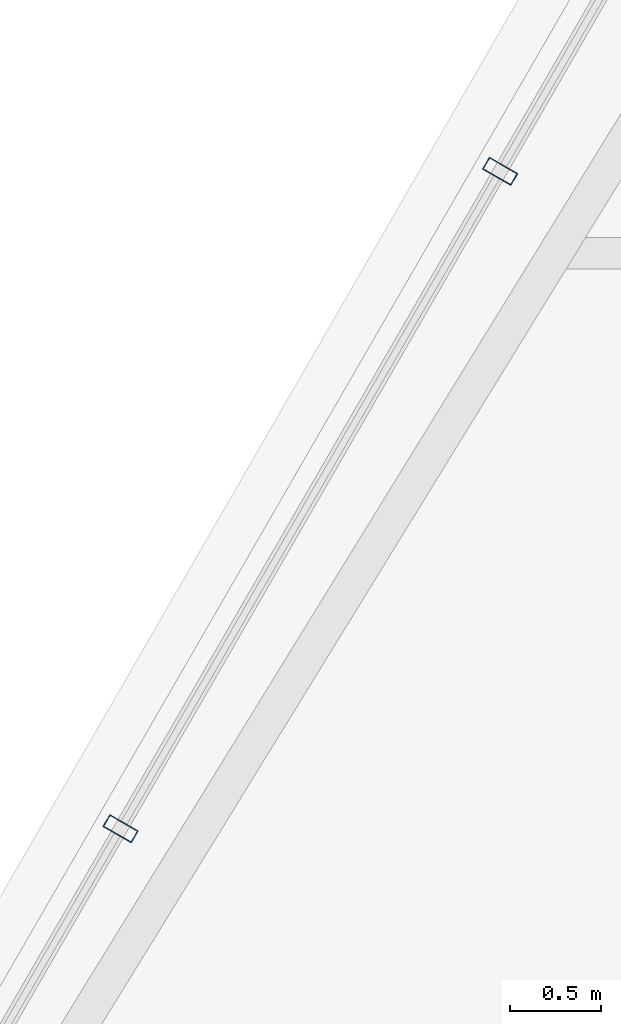
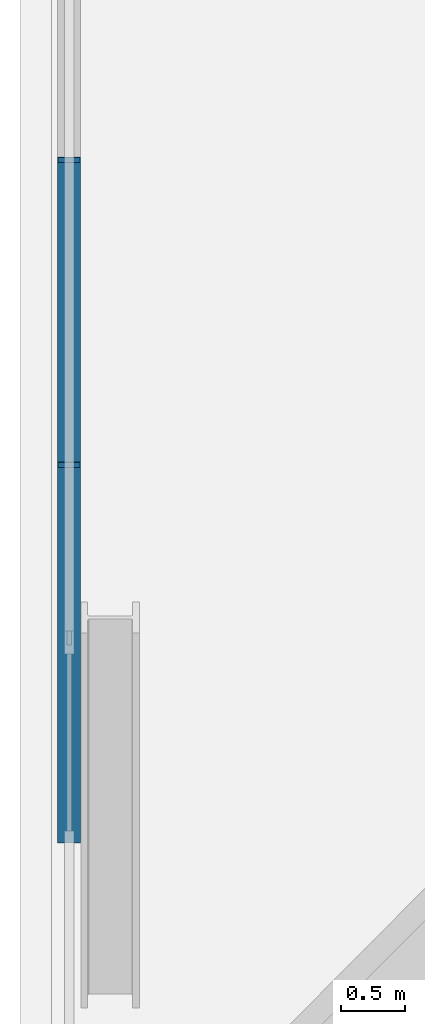
# One storey, part 13 of 35: 2 members, 1 element without a shape of its own.
"""IFC4 building model written with IfcOpenShell, lengths in metres."""

import ifcopenshell
import ifcopenshell.guid

model = None  # the IFC model being written
_history = None  # IfcOwnerHistory: only IFC2X3 demands one
_inside = {}  # id of a spatial element -> (the spatial element, [elements in it])
_under = {}  # id of a project, library or spatial element -> (it, [spatial elements below it])
_declared = {}  # id of a project -> (the project, [libraries it declares])
_typed = {}  # id of a type object -> (the type object, [elements of that type])
_made_of = {}  # id of a material, layer set ... -> (it, [elements and type objects made of it])


def new_model(schema):
    """Start an empty IFC model of exactly this schema.

    Asked for "IFC4X3", IfcOpenShell would pick the latest addendum, in which some entities
    have other attributes; the version numbers below select the first issue.
    IFC2X3 requires an IfcOwnerHistory on every rooted entity: one is made here for all.
    """
    global model, _history
    if schema == "IFC4X3":
        model = ifcopenshell.file(schema_version=(4, 3, 0, 0))
    else:
        model = ifcopenshell.file(schema=schema)
    _inside.clear()
    _under.clear()
    _declared.clear()
    _typed.clear()
    _made_of.clear()
    _history = None
    if model.schema == "IFC2X3":
        org = make("IfcOrganization", Name="unknown")
        user = make(
            "IfcPersonAndOrganization",
            ThePerson=make("IfcPerson", FamilyName="unknown"),
            TheOrganization=org,
        )
        app = make(
            "IfcApplication",
            ApplicationDeveloper=org,
            Version="unknown",
            ApplicationFullName="unknown",
            ApplicationIdentifier="unknown",
        )
        _history = make(
            "IfcOwnerHistory",
            OwningUser=user,
            OwningApplication=app,
            ChangeAction="ADDED",
            CreationDate=0,
        )
    return model


def make(cls, **values):
    """One entity of the class cls with the attributes given. An attribute that is None is left unset."""
    return model.create_entity(
        cls, **{name: value for name, value in values.items() if value is not None}
    )


def rooted(cls, **values):
    """An entity with a GlobalId (a new one), such as an element, a storey or a relation."""
    return make(cls, GlobalId=ifcopenshell.guid.new(), OwnerHistory=_history, **values)


def si_unit(unit_type, name, prefix=None):
    """IfcSIUnit, for example si_unit("LENGTHUNIT", "METRE", prefix="MILLI")."""
    return make("IfcSIUnit", UnitType=unit_type, Prefix=prefix, Name=name)


def assignment(units):
    """IfcUnitAssignment: the units of a project."""
    return None if units is None else make("IfcUnitAssignment", Units=units)


def point(xyz):
    """IfcCartesianPoint."""
    return None if xyz is None else make("IfcCartesianPoint", Coordinates=xyz)


def direction(xyz):
    """IfcDirection."""
    return None if xyz is None else make("IfcDirection", DirectionRatios=xyz)


def frame(location, z_axis=None, x_axis=None):
    """IfcAxis2Placement3D, a coordinate frame: its origin and axes. An axis left out is left unset."""
    return make(
        "IfcAxis2Placement3D",
        Location=point(location),
        Axis=direction(z_axis),
        RefDirection=direction(x_axis),
    )


def frame_2d(location, x_axis=None):
    """IfcAxis2Placement2D, a coordinate frame in the plane: its origin and x axis."""
    return make(
        "IfcAxis2Placement2D", Location=point(location), RefDirection=direction(x_axis)
    )


def origin():
    """The frame at (0, 0, 0) with its axes left unset."""
    return frame((0.0, 0.0, 0.0))


def origin_2d():
    """The frame at (0, 0) in the plane with its x axis left unset."""
    return frame_2d((0.0, 0.0))


def place(relative_to, where):
    """IfcLocalPlacement: puts the frame where relative to a parent placement (None: the world)."""
    return make(
        "IfcLocalPlacement", PlacementRelTo=relative_to, RelativePlacement=where
    )


def context(
    kind, dimensions, precision=None, world=None, true_north=None, identifier=None
):
    """IfcGeometricRepresentationContext, for example the 3D "Model" context."""
    return make(
        "IfcGeometricRepresentationContext",
        ContextIdentifier=identifier,
        ContextType=kind,
        CoordinateSpaceDimension=dimensions,
        Precision=precision,
        WorldCoordinateSystem=world,
        TrueNorth=true_north,
    )


def subcontext(parent, identifier, kind, view, scale=None):
    """IfcGeometricRepresentationSubContext, for example "Body" below "Model"."""
    return make(
        "IfcGeometricRepresentationSubContext",
        ContextIdentifier=identifier,
        ContextType=kind,
        ParentContext=parent,
        TargetScale=scale,
        TargetView=view,
    )


def project(units=None, contexts=None):
    """IfcProject with its units and contexts."""
    return rooted(
        "IfcProject",
        Name="project",
        RepresentationContexts=contexts,
        UnitsInContext=assignment(units),
    )


def spatial(cls, under=None, at=None, **own):
    """A site, building, storey or space (cls), placed at a placement, below another one or the project."""
    s = rooted(cls, ObjectPlacement=at, **own)
    if under is not None:
        _under.setdefault(under.id(), (under, []))[1].append(s)
    return s


def profile(cls, at=None, kind="AREA", **sizes):
    """A parametric profile (cls). Its sizes go by their IFC names, for example OverallWidth=200.0."""
    return make(cls, ProfileType=kind, Position=at, **sizes)


def hollow_rectangle(**sizes):
    """IfcRectangleHollowProfileDef."""
    return profile("IfcRectangleHollowProfileDef", **sizes)


def extrude(swept, where, along, depth):
    """IfcExtrudedAreaSolid: the profile swept, set in the frame where, extruded along a direction by depth."""
    return make(
        "IfcExtrudedAreaSolid",
        SweptArea=swept,
        Position=where,
        ExtrudedDirection=direction(along),
        Depth=depth,
    )


def shape(context_of_items, identifier, shape_type, items):
    """IfcShapeRepresentation: the items that make up one representation, for example the "Body"."""
    return make(
        "IfcShapeRepresentation",
        ContextOfItems=context_of_items,
        RepresentationIdentifier=identifier,
        RepresentationType=shape_type,
        Items=items,
    )


def material(Name=None, Category=None):
    """IfcMaterial."""
    return make("IfcMaterial", Name=Name, Category=Category)


def layer(
    of_material, thickness, ventilated=None, Name=None, Category=None, Priority=None
):
    """IfcMaterialLayer: one layer of a wall or slab, of a material (None: an air gap)."""
    return make(
        "IfcMaterialLayer",
        Material=of_material,
        LayerThickness=thickness,
        IsVentilated=ventilated,
        Name=Name,
        Category=Category,
        Priority=Priority,
    )


def layer_set(layers, Name=None):
    """IfcMaterialLayerSet."""
    return make("IfcMaterialLayerSet", MaterialLayers=layers, LayerSetName=Name)


def material_profile(
    of_material, cross_section, Name=None, Category=None, Priority=None
):
    """IfcMaterialProfile: a cross section and its material."""
    return make(
        "IfcMaterialProfile",
        Name=Name,
        Material=of_material,
        Profile=cross_section,
        Priority=Priority,
        Category=Category,
    )


def profile_set(profiles, Name=None, composite=None):
    """IfcMaterialProfileSet."""
    return make(
        "IfcMaterialProfileSet",
        Name=Name,
        MaterialProfiles=profiles,
        CompositeProfile=composite,
    )


def made_of(thing, what):
    """Note that an element or type object is made of a material, layer set ...; save() writes the relation."""
    if what is not None:
        _made_of.setdefault(what.id(), (what, []))[1].append(thing)
    return thing


def type_object(cls, material=None, **own):
    """A type object (cls), such as IfcWallType, which elements share."""
    return made_of(rooted(cls, **own), material)


def element(
    cls,
    number,
    at=None,
    inside=None,
    cuts=None,
    type_object=None,
    material=None,
    context=None,
    identifier="Body",
    shape_type=None,
    held_by="IfcProductDefinitionShape",
    body=None,
    shapes=None,
    **own,
):
    """One element of the class cls, such as IfcWall. Its Tag is "e" and its number.

    at: its placement. inside: the storey or other place that contains it. cuts: it is an
    opening in that element (IfcRelVoidsElement). A single representation is given by context,
    identifier, shape_type and body (its items); several are given by shapes. held_by: the class
    of the entity that holds the representations. save() writes the other relations.
    """
    e = rooted(cls, Tag="e%d" % number, ObjectPlacement=at, **own)
    if body is not None:
        shapes = [shape(context, identifier, shape_type, body)]
    if shapes is not None:
        e.Representation = make(held_by, Representations=shapes)
    if inside is not None:
        _inside.setdefault(inside.id(), (inside, []))[1].append(e)
    if cuts is not None:
        rooted(
            "IfcRelVoidsElement", RelatingBuildingElement=cuts, RelatedOpeningElement=e
        )
    if type_object is not None:
        _typed.setdefault(type_object.id(), (type_object, []))[1].append(e)
    return made_of(e, material)


def aggregate(whole, parts):
    """IfcRelAggregates: a whole, such as a stair, and the parts it consists of."""
    return rooted("IfcRelAggregates", RelatingObject=whole, RelatedObjects=parts)


def save(model, path):
    """Write the relations noted so far, then the file.

    IfcRelAggregates (storeys below a building ...), IfcRelContainedInSpatialStructure (elements
    in a storey), IfcRelDefinesByType, IfcRelAssociatesMaterial and IfcRelDeclares: one each for
    every whole, place, type object, material and project.
    """
    for whole, parts in _under.values():
        aggregate(whole, parts)
    for where, things in _inside.values():
        rooted(
            "IfcRelContainedInSpatialStructure",
            RelatedElements=things,
            RelatingStructure=where,
        )
    for kind, things in _typed.values():
        rooted("IfcRelDefinesByType", RelatedObjects=things, RelatingType=kind)
    for what, things in _made_of.values():
        rooted("IfcRelAssociatesMaterial", RelatedObjects=things, RelatingMaterial=what)
    for by, libraries in _declared.values():
        rooted("IfcRelDeclares", RelatingContext=by, RelatedDefinitions=libraries)
    model.write(path)


model = new_model("IFC4")

# Units and contexts
model_context = context("Model", 3, precision=1e-05, world=origin(), true_north=direction((0.0, 1.0)))
body_context = subcontext(model_context, "Body", "Model", "MODEL_VIEW")
ifc_project = project(units=[si_unit("LENGTHUNIT", "METRE"), si_unit("AREAUNIT", "SQUARE_METRE"), si_unit("VOLUMEUNIT", "CUBIC_METRE"), si_unit("PLANEANGLEUNIT", "RADIAN"), si_unit("MASSUNIT", "GRAM", prefix="KILO")], contexts=[model_context])

# Site, building, storey
site_placement = place(None, origin())
site = spatial("IfcSite", under=ifc_project, at=site_placement, CompositionType="ELEMENT")
building_placement = place(site_placement, origin())
building = spatial("IfcBuilding", under=site, at=building_placement, Name="Ndaravel Arena Tower", CompositionType="ELEMENT")
storey_placement = place(building_placement, frame((0.0, 0.0, 172.60009765625)))
storey = spatial("IfcBuildingStorey", under=building, at=storey_placement, Name="L41", CompositionType="ELEMENT", Elevation=172.60009765625)

# Curtain wall, members
ifc_material_1 = material(Name="Aluminium", Category="aluminium")
ifc_layer = layer(ifc_material_1, 0.179931640625)
ifc_layer_set = layer_set([ifc_layer], Name="Aluminium")
curtain_wall_type = type_object("IfcCurtainWallType", Name="CW-SYS-03", PredefinedType="NOTDEFINED", material=ifc_layer_set)
curtain_wall_placement = place(storey_placement, origin())
curtain_wall = element("IfcCurtainWall", 1, at=curtain_wall_placement, inside=storey, type_object=curtain_wall_type, Name="L41 Faceted Crystal Curtain Wall CW-L41-E05", PredefinedType="NOTDEFINED")
ifc_material_2 = material(Name="Aluminium", Category="aluminium")
ifc_material_profile = material_profile(ifc_material_2, hollow_rectangle(XDim=0.074951171875, YDim=0.179931640625, WallThickness=0.00390625, at=origin_2d()), Name="CW MULLION 75x180x4")
ifc_profile_set = profile_set([ifc_material_profile], Name="Aluminium")
member_type = type_object("IfcMemberType", Name="MEM-CW-MUL180", PredefinedType="MULLION", material=ifc_profile_set)
member_1_placement = place(storey_placement, frame((30.74658203125, 35.44970703125, 0.0), z_axis=(0.0, 0.0, 1.0), x_axis=(-0.5, -0.866025403784, 0.0)))
member_1 = element("IfcMember", 2, at=member_1_placement, type_object=member_type, Name="CW-L41-E05 Mullion 03", PredefinedType="MULLION", context=body_context, shape_type="SweptSolid", body=[
    extrude(hollow_rectangle(XDim=0.074951171875, YDim=0.179931640625, WallThickness=0.00390625, at=origin_2d()), origin(), (0.0, 0.0, 1.0), 3.579833984375),
])
member_2_placement = place(storey_placement, frame((28.668701171875, 31.850341796875, 0.0), z_axis=(0.0, 0.0, 1.0), x_axis=(-0.5, -0.866025403784, 0.0)))
member_2 = element("IfcMember", 3, at=member_2_placement, type_object=member_type, Name="CW-L41-E05 Mullion 04", PredefinedType="MULLION", context=body_context, shape_type="SweptSolid", body=[
    extrude(hollow_rectangle(XDim=0.074951171875, YDim=0.179931640625, WallThickness=0.00390625, at=origin_2d()), origin(), (0.0, 0.0, 1.0), 3.579833984375),
])
aggregate(curtain_wall, [member_1, member_2])

save(model, "model.ifc")
